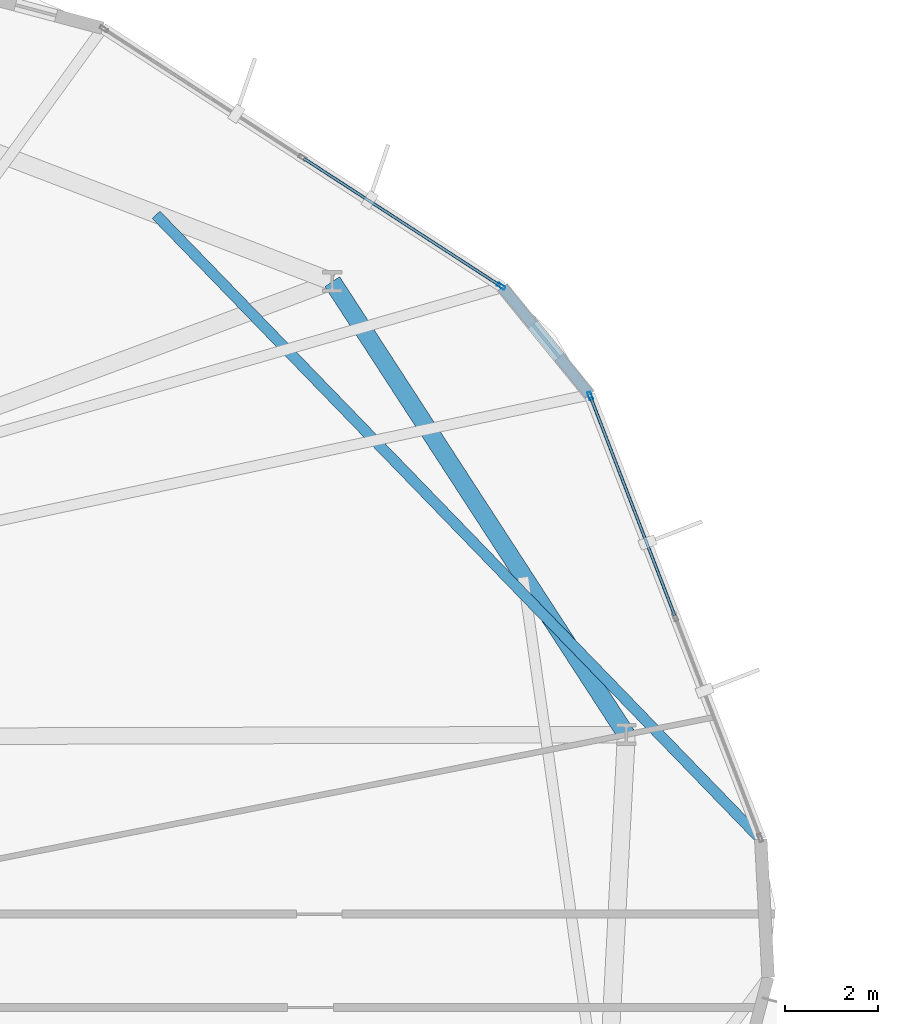
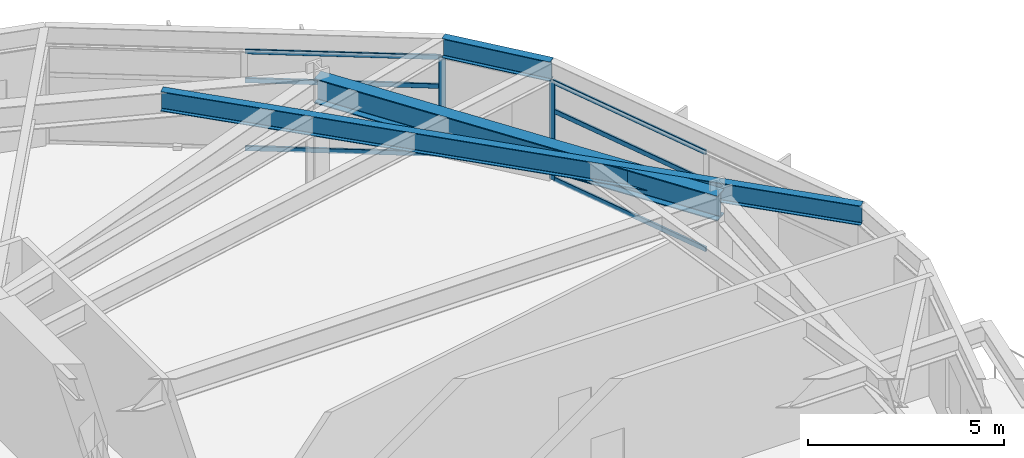
# One storey, part 15 of 23: 8 members, 3 beams, 2 elements without a shape of their own.
"""IFC4 building model written with IfcOpenShell, lengths in metres."""

from ifc_helpers import new_model, si_unit, direction, frame, origin, origin_2d, place, context, subcontext, project, spatial, hollow_rectangle, i_section, extrude, material, layer, layer_set, material_profile, profile_set, type_object, element, aggregate, save


model = new_model("IFC4")

# Units and contexts
model_context = context("Model", 3, precision=1e-05, world=origin(), true_north=direction((0.0, 1.0)))
body_context = subcontext(model_context, "Body", "Model", "MODEL_VIEW")
ifc_project = project(units=[si_unit("LENGTHUNIT", "METRE"), si_unit("AREAUNIT", "SQUARE_METRE"), si_unit("VOLUMEUNIT", "CUBIC_METRE"), si_unit("PLANEANGLEUNIT", "RADIAN"), si_unit("MASSUNIT", "GRAM", prefix="KILO")], contexts=[model_context])

# Site, building, storey
site_placement = place(None, origin())
site = spatial("IfcSite", under=ifc_project, at=site_placement, CompositionType="ELEMENT")
building_placement = place(site_placement, origin())
building = spatial("IfcBuilding", under=site, at=building_placement, Name="Soratama Intermodal Tower", CompositionType="ELEMENT")
storey_placement = place(building_placement, frame((0.0, 0.0, 38.60009765625)))
storey = spatial("IfcBuildingStorey", under=building, at=storey_placement, Name="L08", CompositionType="ELEMENT", Elevation=38.60009765625)

# Beams
ifc_material_1 = material(Name="Structural steel ASTM A992 Grade 50", Category="steel")
ifc_material_profile_1 = material_profile(ifc_material_1, i_section(OverallWidth=0.382080078125, OverallDepth=0.779052734375, WebThickness=0.01806640625, FlangeThickness=0.030029296875, FilletRadius=0.01806640625, at=origin_2d()), Name="W30X191")
ifc_profile_set_1 = profile_set([ifc_material_profile_1], Name="Structural steel ASTM A992 Grade 50")
beam_type_1 = type_object("IfcBeamType", Name="BM-RING-W30X191", PredefinedType="BEAM", material=ifc_profile_set_1)
beam_1_placement = place(storey_placement, frame((63.08203125, 29.844970703125, 3.310302734375), z_axis=(-0.544623370352, 0.838680740489, 0.0), x_axis=(-0.838680740489, -0.544623370352, 0.0)))
element("IfcBeam", 1, at=beam_1_placement, inside=storey, type_object=beam_type_1, Name="BM-L08-RING-01", PredefinedType="BEAM", context=body_context, shape_type="SweptSolid", body=[
    extrude(i_section(OverallWidth=0.382080078125, OverallDepth=0.779052734375, WebThickness=0.01806640625, FlangeThickness=0.030029296875, FilletRadius=0.01806640625, at=origin_2d()), origin(), (0.0, 0.0, 1.0), 11.569580078125),
])
ifc_material_2 = material(Name="Structural steel ASTM A992 Grade 50", Category="steel")
ifc_material_profile_2 = material_profile(ifc_material_2, i_section(OverallWidth=0.22900390625, OverallDepth=0.612060546875, WebThickness=0.011962890625, FlangeThickness=0.01953125, FilletRadius=0.012939453125, at=origin_2d()), Name="W24X84")
ifc_profile_set_2 = profile_set([ifc_material_profile_2], Name="Structural steel ASTM A992 Grade 50")
beam_type_2 = type_object("IfcBeamType", Name="BM-SPN-W24X84", PredefinedType="SPANDREL", material=ifc_profile_set_2)
beam_2_placement = place(storey_placement, frame((62.2958984375, 37.1259765625, 3.393798828125), z_axis=(-0.630130767843, 0.776489031099, 0.0), x_axis=(-0.776489031099, -0.630130767843, 0.0)))
element("IfcBeam", 2, at=beam_2_placement, inside=storey, type_object=beam_type_2, Name="BS-L08-CRN01", PredefinedType="SPANDREL", context=body_context, shape_type="SweptSolid", body=[
    extrude(i_section(OverallWidth=0.22900390625, OverallDepth=0.612060546875, WebThickness=0.011962890625, FlangeThickness=0.01953125, FilletRadius=0.012939453125, at=origin_2d()), origin(), (0.0, 0.0, 1.0), 2.9658203125),
])
ifc_material_3 = material(Name="Structural steel ASTM A992 Grade 50", Category="steel")
ifc_material_profile_3 = material_profile(ifc_material_3, i_section(OverallWidth=0.22900390625, OverallDepth=0.612060546875, WebThickness=0.011962890625, FlangeThickness=0.01953125, FilletRadius=0.012939453125, at=origin_2d()), Name="W24X84")
ifc_profile_set_3 = profile_set([ifc_material_profile_3], Name="Structural steel ASTM A992 Grade 50")
beam_type_3 = type_object("IfcBeamType", Name="BM-TIE-W24X84", PredefinedType="BEAM", material=ifc_profile_set_3)
beam_3_placement = place(storey_placement, frame((53.010009765625, 40.97802734375, 3.393798828125), z_axis=(0.695731788331, -0.718301662748, 0.0), x_axis=(0.718301662748, 0.695731788331, 0.0)))
element("IfcBeam", 3, at=beam_3_placement, inside=storey, type_object=beam_type_3, Name="BM-L08-TIE0-01", PredefinedType="BEAM", context=body_context, shape_type="SweptSolid", body=[
    extrude(i_section(OverallWidth=0.22900390625, OverallDepth=0.612060546875, WebThickness=0.011962890625, FlangeThickness=0.01953125, FilletRadius=0.012939453125, at=origin_2d()), origin(), (0.0, 0.0, 1.0), 18.6162109375),
])

# Curtain wall, member
ifc_material_4 = material(Name="Double-glazed aluminium curtain wall", Category="aluminium")
ifc_layer = layer(ifc_material_4, 0.159912109375)
ifc_layer_set = layer_set([ifc_layer], Name="Double-glazed aluminium curtain wall")
curtain_wall_type = type_object("IfcCurtainWallType", Name="CW-SYS-2", PredefinedType="NOTDEFINED", material=ifc_layer_set)
curtain_wall_1_placement = place(storey_placement, origin())
curtain_wall_1 = element("IfcCurtainWall", 4, at=curtain_wall_1_placement, inside=storey, type_object=curtain_wall_type, Name="L08 Faceted Curtain Wall F01", PredefinedType="NOTDEFINED")
ifc_material_5 = material(Name="Anodised aluminium AA 6063-T6", Category="aluminium")
ifc_material_profile_4 = material_profile(ifc_material_5, hollow_rectangle(XDim=0.074951171875, YDim=0.179931640625, WallThickness=0.006103515625, InnerFilletRadius=0.006103515625, OuterFilletRadius=0.011962890625, at=origin_2d()), Name="CWM180X75X6")
ifc_profile_set_4 = profile_set([ifc_material_profile_4], Name="Anodised aluminium AA 6063-T6")
member_type_1 = type_object("IfcMemberType", Name="MT-CWM-2", PredefinedType="MULLION", material=ifc_profile_set_4)
member_1_placement = place(storey_placement, frame((62.306884765625, 37.097900390625, 0.0), z_axis=(0.0, 0.0, 1.0), x_axis=(-0.93320632625, -0.359340997727, 0.0)))
member_1 = element("IfcMember", 5, at=member_1_placement, type_object=member_type_1, Name="CW-2 mullion 3", PredefinedType="MULLION", context=body_context, shape_type="SweptSolid", body=[
    extrude(hollow_rectangle(XDim=0.074951171875, YDim=0.179931640625, WallThickness=0.006103515625, InnerFilletRadius=0.006103515625, OuterFilletRadius=0.011962890625, at=origin_2d()), origin(), (0.0, 0.0, 1.0), 3.078857421875),
])

curtain_wall_2_placement = place(storey_placement, origin())
curtain_wall_2 = element("IfcCurtainWall", 6, at=curtain_wall_2_placement, inside=storey, type_object=curtain_wall_type, Name="L08 Faceted Curtain Wall F02", PredefinedType="NOTDEFINED")
member_2_placement = place(storey_placement, frame((60.4013671875, 39.445556640625, 0.0), z_axis=(0.0, 0.0, 1.0), x_axis=(-0.543762502127, -0.839239144273, 0.0)))
member_2 = element("IfcMember", 7, at=member_2_placement, type_object=member_type_1, Name="CW-2 mullion 1", PredefinedType="MULLION", context=body_context, shape_type="SweptSolid", body=[
    extrude(hollow_rectangle(XDim=0.074951171875, YDim=0.179931640625, WallThickness=0.006103515625, InnerFilletRadius=0.006103515625, OuterFilletRadius=0.011962890625, at=origin_2d()), origin(), (0.0, 0.0, 1.0), 3.078857421875),
])

# Member
ifc_material_6 = material(Name="Anodised aluminium AA 6063-T6", Category="aluminium")
ifc_material_profile_5 = material_profile(ifc_material_6, hollow_rectangle(XDim=0.06494140625, YDim=0.14990234375, WallThickness=0.0048828125, InnerFilletRadius=0.0048828125, OuterFilletRadius=0.010009765625, at=origin_2d()), Name="CWT150X65X5")
ifc_profile_set_5 = profile_set([ifc_material_profile_5], Name="Anodised aluminium AA 6063-T6")
member_type_2 = type_object("IfcMemberType", Name="TT-CWT-1", PredefinedType="USERDEFINED", material=ifc_profile_set_5)
member_3_placement = place(storey_placement, frame((64.1181640625, 32.393798828125, 0.02978515625), z_axis=(-0.359338202569, 0.93320740255, 0.0), x_axis=(-0.93320740255, -0.359338202569, 0.0)))
member_3 = element("IfcMember", 8, at=member_3_placement, type_object=member_type_2, Name="CW-2 transom 2.1", ObjectType="TRANSOM", PredefinedType="USERDEFINED", context=body_context, shape_type="SweptSolid", body=[
    extrude(hollow_rectangle(XDim=0.06494140625, YDim=0.14990234375, WallThickness=0.0048828125, InnerFilletRadius=0.0048828125, OuterFilletRadius=0.010009765625, at=origin_2d()), origin(), (0.0, 0.0, 1.0), 5.0107421875),
])

member_4_placement = place(storey_placement, frame((64.1181640625, 32.393798828125, 2.14990234375), z_axis=(-0.359338202569, 0.93320740255, 0.0), x_axis=(-0.93320740255, -0.359338202569, 0.0)))
member_4 = element("IfcMember", 9, at=member_4_placement, type_object=member_type_2, Name="CW-2 transom 2.2", ObjectType="TRANSOM", PredefinedType="USERDEFINED", context=body_context, shape_type="SweptSolid", body=[
    extrude(hollow_rectangle(XDim=0.06494140625, YDim=0.14990234375, WallThickness=0.0048828125, InnerFilletRadius=0.0048828125, OuterFilletRadius=0.010009765625, at=origin_2d()), origin(), (0.0, 0.0, 1.0), 5.0107421875),
])

member_5_placement = place(storey_placement, frame((64.1181640625, 32.393798828125, 3.048828125), z_axis=(-0.359338202569, 0.93320740255, 0.0), x_axis=(-0.93320740255, -0.359338202569, 0.0)))
member_5 = element("IfcMember", 10, at=member_5_placement, type_object=member_type_2, Name="CW-2 transom 2.3", ObjectType="TRANSOM", PredefinedType="USERDEFINED", context=body_context, shape_type="SweptSolid", body=[
    extrude(hollow_rectangle(XDim=0.06494140625, YDim=0.14990234375, WallThickness=0.0048828125, InnerFilletRadius=0.0048828125, OuterFilletRadius=0.010009765625, at=origin_2d()), origin(), (0.0, 0.0, 1.0), 5.0107421875),
])

aggregate(curtain_wall_1, [member_1, member_3, member_4, member_5])

member_6_placement = place(storey_placement, frame((60.376220703125, 39.4619140625, 0.02978515625), z_axis=(-0.839235341907, 0.543768370627, 0.0), x_axis=(-0.543768370627, -0.839235341907, 0.0)))
member_6 = element("IfcMember", 11, at=member_6_placement, type_object=member_type_2, Name="CW-2 transom 1.1", ObjectType="TRANSOM", PredefinedType="USERDEFINED", context=body_context, shape_type="SweptSolid", body=[
    extrude(hollow_rectangle(XDim=0.06494140625, YDim=0.14990234375, WallThickness=0.0048828125, InnerFilletRadius=0.0048828125, OuterFilletRadius=0.010009765625, at=origin_2d()), origin(), (0.0, 0.0, 1.0), 5.010498046875),
])

member_7_placement = place(storey_placement, frame((60.376220703125, 39.4619140625, 2.14990234375), z_axis=(-0.839235341907, 0.543768370627, 0.0), x_axis=(-0.543768370627, -0.839235341907, 0.0)))
member_7 = element("IfcMember", 12, at=member_7_placement, type_object=member_type_2, Name="CW-2 transom 1.2", ObjectType="TRANSOM", PredefinedType="USERDEFINED", context=body_context, shape_type="SweptSolid", body=[
    extrude(hollow_rectangle(XDim=0.06494140625, YDim=0.14990234375, WallThickness=0.0048828125, InnerFilletRadius=0.0048828125, OuterFilletRadius=0.010009765625, at=origin_2d()), origin(), (0.0, 0.0, 1.0), 5.010498046875),
])

member_8_placement = place(storey_placement, frame((60.376220703125, 39.4619140625, 3.048828125), z_axis=(-0.839235341907, 0.543768370627, 0.0), x_axis=(-0.543768370627, -0.839235341907, 0.0)))
member_8 = element("IfcMember", 13, at=member_8_placement, type_object=member_type_2, Name="CW-2 transom 1.3", ObjectType="TRANSOM", PredefinedType="USERDEFINED", context=body_context, shape_type="SweptSolid", body=[
    extrude(hollow_rectangle(XDim=0.06494140625, YDim=0.14990234375, WallThickness=0.0048828125, InnerFilletRadius=0.0048828125, OuterFilletRadius=0.010009765625, at=origin_2d()), origin(), (0.0, 0.0, 1.0), 5.010498046875),
])

aggregate(curtain_wall_2, [member_2, member_6, member_7, member_8])

save(model, "model.ifc")
